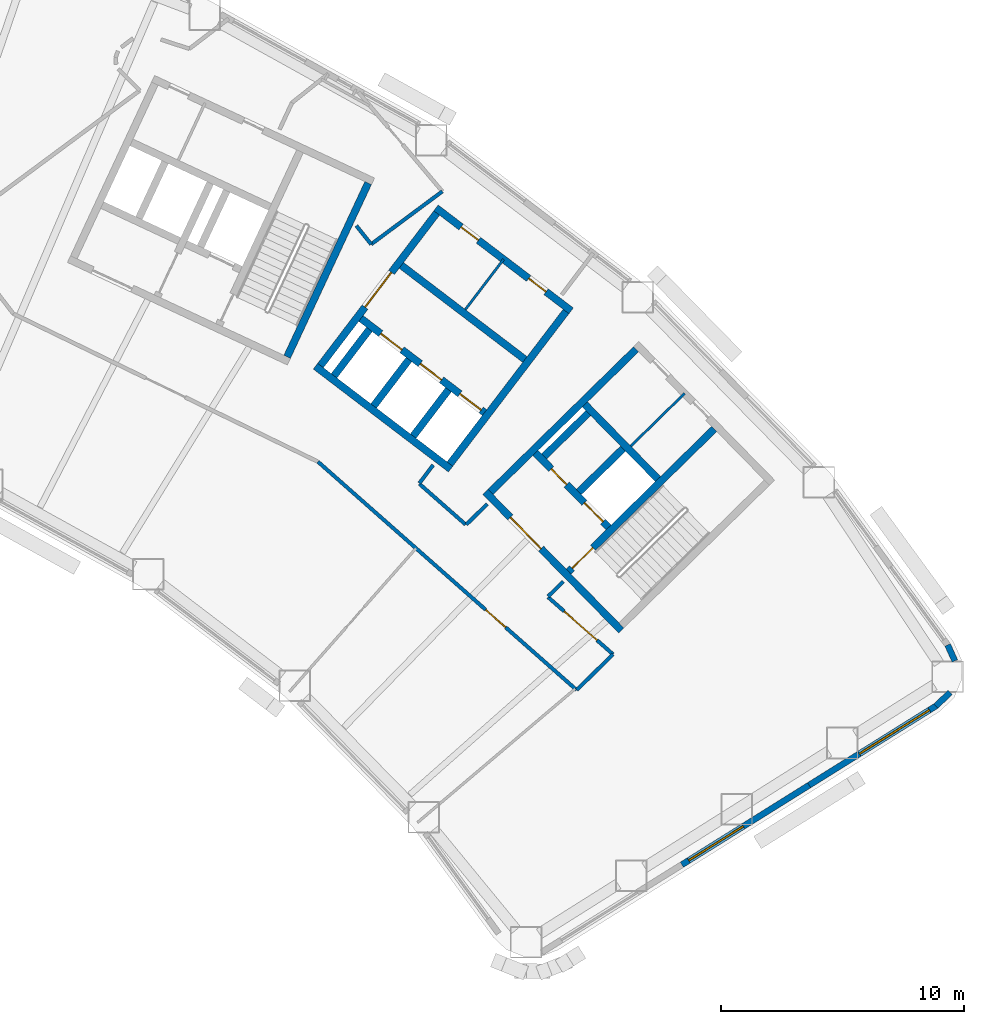
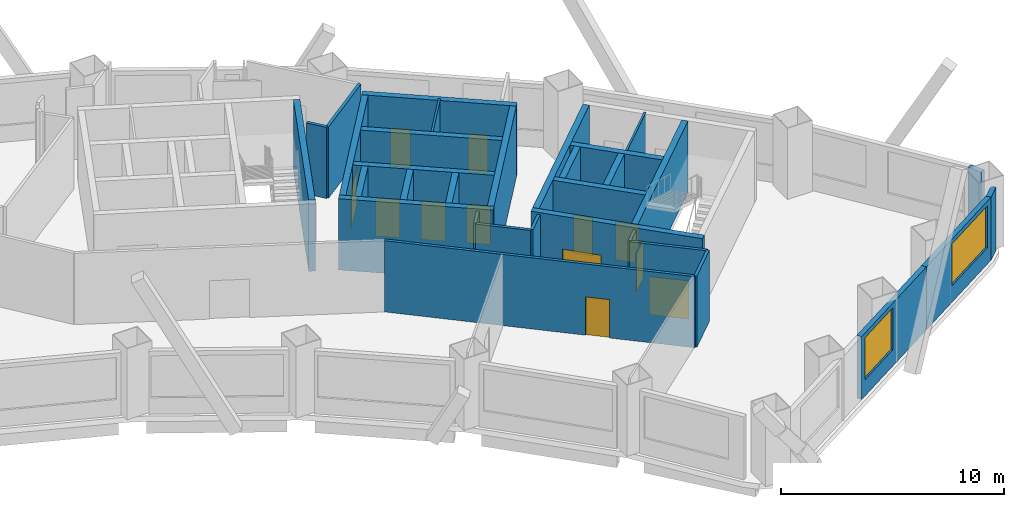
# One storey, part 6 of 11: 32 walls, 12 doors, 2 windows, 14 openings.
"""IFC4 building model written with IfcOpenShell, lengths in metres."""

from ifc_helpers import new_model, si_unit, direction, frame, frame_2d, origin, place, context, subcontext, project, spatial, rectangle, extrude, material, layer, layer_set, type_object, element, fill, save


model = new_model("IFC4")

# Units and contexts
model_context = context("Model", 3, precision=1e-05, world=origin(), true_north=direction((0.0, 1.0)))
body_context = subcontext(model_context, "Body", "Model", "MODEL_VIEW")
ifc_project = project(units=[si_unit("LENGTHUNIT", "METRE"), si_unit("AREAUNIT", "SQUARE_METRE"), si_unit("VOLUMEUNIT", "CUBIC_METRE"), si_unit("PLANEANGLEUNIT", "RADIAN"), si_unit("MASSUNIT", "GRAM", prefix="KILO")], contexts=[model_context])

# Site, building, storey
site_placement = place(None, origin())
site = spatial("IfcSite", under=ifc_project, at=site_placement, CompositionType="ELEMENT")
building_placement = place(site_placement, origin())
building = spatial("IfcBuilding", under=site, at=building_placement, Name="Tuul Gate Civic Tower", CompositionType="ELEMENT")
storey_placement = place(building_placement, frame((0.0, 0.0, 48.300048828125)))
storey = spatial("IfcBuildingStorey", under=building, at=storey_placement, Name="Level 10", CompositionType="ELEMENT", Elevation=48.300048828125)

# Wall, opening, door
ifc_material_1 = material(Name="Concrete C50/60", Category="concrete")
ifc_layer_1 = layer(ifc_material_1, 0.300048828125)
ifc_layer_set_1 = layer_set([ifc_layer_1], Name="Concrete C50/60")
wall_type_1 = type_object("IfcWallType", Name="Core wall C50/60", PredefinedType="SHEAR", material=ifc_layer_set_1)
wall_1_placement = place(storey_placement, frame((48.22509765625, -18.327880859375, 0.0), z_axis=(0.0, 0.0, 1.0), x_axis=(-0.700021979774, 0.714121297703, 0.0)))
wall_1 = element("IfcWall", 1, at=wall_1_placement, inside=storey, type_object=wall_type_1, Name="Core wall", PredefinedType="SHEAR", context=body_context, shape_type="SweptSolid", body=[
    extrude(rectangle(XDim=8.0, YDim=0.300048828125, at=frame_2d((4.0, 0.0))), origin(), (0.0, 0.0, 1.0), 3.89990234375),
])
opening_1_placement = place(wall_1_placement, frame((4.72509765625, 0.0, 0.0)))
opening_1 = element("IfcOpeningElement", 2, at=opening_1_placement, cuts=wall_1, Name="Opening LB-E1-LOBBY-1", PredefinedType="OPENING", context=body_context, shape_type="SweptSolid", body=[
    extrude(rectangle(XDim=1.800048828125, YDim=2.10009765625, at=frame_2d((0.89990234375, 1.050048828125))), frame((0.0, 0.16015625, 0.0), z_axis=(0.0, -1.0, 0.0), x_axis=(1.0, 0.0, 0.0)), (0.0, 0.0, 1.0), 0.320068359375),
])
ifc_material_2 = material(Name="Steel", Category="steel")
door_type_1 = type_object("IfcDoorType", Name="Lobby door", OperationType="DOUBLE_DOOR_SINGLE_SWING", PredefinedType="DOOR", material=ifc_material_2)
door_1_placement = place(opening_1_placement, frame((1.800048828125, 0.0, 0.0), z_axis=(0.0, 0.0, 1.0), x_axis=(-1.0, 0.0, 0.0)))
door_1 = element("IfcDoor", 3, at=door_1_placement, inside=storey, type_object=door_type_1, Name="Lobby door E1-LOBBY", OperationType="DOUBLE_DOOR_SINGLE_SWING", OverallHeight=2.10009765625, OverallWidth=1.800048828125, PredefinedType="DOOR", context=body_context, shape_type="SweptSolid", body=[
    extrude(rectangle(XDim=1.800048828125, YDim=2.10009765625, at=frame_2d((0.900146484375, 1.050048828125))), frame((0.0, 0.02490234375, 0.0), z_axis=(0.0, -1.0, 0.0), x_axis=(1.0, 0.0, 0.0)), (0.0, 0.0, 1.0), 0.050048828125),
])
fill(opening_1, door_1)

# Wall, openings, doors
wall_2_placement = place(storey_placement, frame((47.701904296875, -14.079833984375, 0.0), z_axis=(0.0, 0.0, 1.0), x_axis=(-0.700002721075, 0.714140175657, 0.0)))
wall_2 = element("IfcWall", 4, at=wall_2_placement, inside=storey, type_object=wall_type_1, Name="Core wall", PredefinedType="SHEAR", context=body_context, shape_type="SweptSolid", body=[
    extrude(rectangle(XDim=4.300048828125, YDim=0.300048828125, at=frame_2d((2.14990234375, 0.0))), origin(), (0.0, 0.0, 1.0), 3.89990234375),
])
opening_2_placement = place(wall_2_placement, frame((0.324951171875, 0.0, 0.0)))
opening_2 = element("IfcOpeningElement", 5, at=opening_2_placement, cuts=wall_2, Name="Opening LD-L4", PredefinedType="OPENING", context=body_context, shape_type="SweptSolid", body=[
    extrude(rectangle(XDim=1.10009765625, YDim=2.10009765625, at=frame_2d((0.550048828125, 1.050048828125))), frame((0.0, 0.16015625, 0.0), z_axis=(0.0, -1.0, 0.0), x_axis=(1.0, 0.0, 0.0)), (0.0, 0.0, 1.0), 0.320068359375),
])
opening_3_placement = place(wall_2_placement, frame((2.47509765625, 0.0, 0.0)))
opening_3 = element("IfcOpeningElement", 6, at=opening_3_placement, cuts=wall_2, Name="Opening FB-E1A2", PredefinedType="OPENING", context=body_context, shape_type="SweptSolid", body=[
    extrude(rectangle(XDim=0.89990234375, YDim=2.10009765625, at=frame_2d((0.449951171875, 1.050048828125))), frame((0.0, 0.16015625, 0.0), z_axis=(0.0, -1.0, 0.0), x_axis=(1.0, 0.0, 0.0)), (0.0, 0.0, 1.0), 0.320068359375),
])
ifc_material_3 = material(Name="Stainless steel", Category="steel")
door_type_2 = type_object("IfcDoorType", Name="Landing door", OperationType="DOUBLE_DOOR_SLIDING", PredefinedType="DOOR", material=ifc_material_3)
door_2_placement = place(opening_2_placement, origin())
door_2 = element("IfcDoor", 7, at=door_2_placement, inside=storey, type_object=door_type_2, Name="Low-rise lift L4 landing door", OperationType="DOUBLE_DOOR_SLIDING", OverallHeight=2.10009765625, OverallWidth=1.10009765625, PredefinedType="DOOR", context=body_context, shape_type="SweptSolid", body=[
    extrude(rectangle(XDim=1.10009765625, YDim=2.10009765625, at=frame_2d((0.550048828125, 1.050048828125))), frame((0.0, 0.02490234375, 0.0), z_axis=(0.0, -1.0, 0.0), x_axis=(1.0, 0.0, 0.0)), (0.0, 0.0, 1.0), 0.050048828125),
])
fill(opening_2, door_2)
ifc_material_4 = material(Name="Steel", Category="steel")
door_type_3 = type_object("IfcDoorType", Name="Store door", OperationType="NOTDEFINED", PredefinedType="DOOR", material=ifc_material_4)
door_3_placement = place(opening_3_placement, frame((0.89990234375, 0.0, 0.0), z_axis=(0.0, 0.0, 1.0), x_axis=(-1.0, 0.0, 0.0)))
door_3 = element("IfcDoor", 8, at=door_3_placement, inside=storey, type_object=door_type_3, Name="Store door E1A2", OperationType="SINGLE_SWING_LEFT", OverallHeight=2.10009765625, OverallWidth=0.89990234375, PredefinedType="DOOR", context=body_context, shape_type="SweptSolid", body=[
    extrude(rectangle(XDim=0.89990234375, YDim=2.10009765625, at=frame_2d((0.449951171875, 1.050048828125))), frame((0.0, 0.02490234375, 0.0), z_axis=(0.0, -1.0, 0.0), x_axis=(1.0, 0.0, 0.0)), (0.0, 0.0, 1.0), 0.050048828125),
])
fill(opening_3, door_3)

# Wall
wall_3_placement = place(storey_placement, frame((49.737060546875, -12.0849609375, 0.0), z_axis=(0.0, 0.0, 1.0), x_axis=(-0.700002721075, 0.714140175657, 0.0)))
element("IfcWall", 9, at=wall_3_placement, inside=storey, type_object=wall_type_1, Name="Core wall", PredefinedType="SHEAR", context=body_context, shape_type="SweptSolid", body=[
    extrude(rectangle(XDim=4.300048828125, YDim=0.300048828125, at=frame_2d((2.14990234375, 0.0))), origin(), (0.0, 0.0, 1.0), 3.89990234375),
])

# Wall, opening, door
wall_4_placement = place(storey_placement, frame((46.05712890625, -15.902099609375, 0.0), z_axis=(0.0, 0.0, 1.0), x_axis=(0.714134086973, 0.700008932674, 0.0)))
wall_4 = element("IfcWall", 10, at=wall_4_placement, inside=storey, type_object=wall_type_1, Name="Core wall", PredefinedType="SHEAR", context=body_context, shape_type="SweptSolid", body=[
    extrude(rectangle(XDim=8.400146484375, YDim=0.300048828125, at=frame_2d((4.2001953125, 0.0))), origin(), (0.0, 0.0, 1.0), 3.89990234375),
])
opening_4_placement = place(wall_4_placement, frame((0.199951171875, 0.0, 0.0)))
opening_4 = element("IfcOpeningElement", 11, at=opening_4_placement, cuts=wall_4, Name="Opening SD-ST-3", PredefinedType="OPENING", context=body_context, shape_type="SweptSolid", body=[
    extrude(rectangle(XDim=1.199951171875, YDim=2.10009765625, at=frame_2d((0.60009765625, 1.050048828125))), frame((0.0, 0.16015625, 0.0), z_axis=(0.0, -1.0, 0.0), x_axis=(1.0, 0.0, 0.0)), (0.0, 0.0, 1.0), 0.320068359375),
])
ifc_material_5 = material(Name="Steel", Category="steel")
door_type_4 = type_object("IfcDoorType", Name="Stair door", OperationType="NOTDEFINED", PredefinedType="DOOR", material=ifc_material_5)
door_4_placement = place(opening_4_placement, origin())
door_4 = element("IfcDoor", 12, at=door_4_placement, inside=storey, type_object=door_type_4, Name="Stair door ST-3", OperationType="SINGLE_SWING_LEFT", OverallHeight=2.10009765625, OverallWidth=1.199951171875, PredefinedType="DOOR", context=body_context, shape_type="SweptSolid", body=[
    extrude(rectangle(XDim=1.199951171875, YDim=2.10009765625, at=frame_2d((0.60009765625, 1.050048828125))), frame((0.0, 0.02490234375, 0.0), z_axis=(0.0, -1.0, 0.0), x_axis=(1.0, 0.0, 0.0)), (0.0, 0.0, 1.0), 0.050048828125),
])
fill(opening_4, door_4)

# Walls
wall_5_placement = place(storey_placement, frame((46.47900390625, -12.617919921875, 0.0), z_axis=(0.0, 0.0, 1.0), x_axis=(0.71410944159, 0.700034074479, 0.0)))
element("IfcWall", 13, at=wall_5_placement, inside=storey, type_object=wall_type_1, Name="Core wall", PredefinedType="SHEAR", context=body_context, shape_type="SweptSolid", body=[
    extrude(rectangle(XDim=2.5498046875, YDim=0.300048828125, at=frame_2d((1.27490234375, 0.0))), origin(), (0.0, 0.0, 1.0), 3.89990234375),
])
wall_6_placement = place(storey_placement, frame((45.0439453125, -11.154052734375, 0.0), z_axis=(0.0, 0.0, 1.0), x_axis=(0.714108498262, 0.700035036773, 0.0)))
element("IfcWall", 14, at=wall_6_placement, inside=storey, type_object=wall_type_1, Name="Core wall", PredefinedType="SHEAR", context=body_context, shape_type="SweptSolid", body=[
    extrude(rectangle(XDim=2.550048828125, YDim=0.300048828125, at=frame_2d((1.27490234375, 0.0))), origin(), (0.0, 0.0, 1.0), 3.89990234375),
])
wall_7_placement = place(storey_placement, frame((42.837158203125, -12.616943359375, 0.0), z_axis=(0.0, 0.0, 1.0), x_axis=(0.714119844755, 0.700023461983, 0.0)))
element("IfcWall", 15, at=wall_7_placement, inside=storey, type_object=wall_type_1, Name="Core wall", PredefinedType="SHEAR", context=body_context, shape_type="SweptSolid", body=[
    extrude(rectangle(XDim=8.39990234375, YDim=0.300048828125, at=frame_2d((4.199951171875, 0.0))), origin(), (0.0, 0.0, 1.0), 3.89990234375),
])
wall_8_placement = place(storey_placement, frame((34.455810546875, -7.05078125, 0.0), z_axis=(0.0, 0.0, 1.0), x_axis=(0.422570768258, 0.906329932096, 0.0)))
element("IfcWall", 16, at=wall_8_placement, inside=storey, type_object=wall_type_1, Name="Core wall", PredefinedType="SHEAR", context=body_context, shape_type="SweptSolid", body=[
    extrude(rectangle(XDim=7.900146484375, YDim=0.300048828125, at=frame_2d((3.9501953125, 0.0))), origin(), (0.0, 0.0, 1.0), 3.89990234375),
])

# Wall, opening, door
ifc_material_6 = material(Name="Gypsum board partition")
ifc_layer_2 = layer(ifc_material_6, 0.14990234375)
ifc_layer_set_2 = layer_set([ifc_layer_2], Name="Gypsum board partition")
wall_type_2 = type_object("IfcWallType", Name="Corridor wall P150", PredefinedType="PARTITIONING", material=ifc_layer_set_2)
wall_9_placement = place(storey_placement, frame((35.7294921875, -11.376708984375, 0.0), z_axis=(0.0, 0.0, 1.0), x_axis=(0.749813799655, -0.661648899226, 0.0)))
wall_9 = element("IfcWall", 17, at=wall_9_placement, inside=storey, type_object=wall_type_2, Name="p002", PredefinedType="PARTITIONING", context=body_context, shape_type="SweptSolid", body=[
    extrude(rectangle(XDim=14.216796875, YDim=0.14990234375, at=frame_2d((7.1083984375, 0.0))), origin(), (0.0, 0.0, 1.0), 3.89990234375),
])
opening_5_placement = place(wall_9_placement, frame((9.210205078125, 0.0, 0.0)))
opening_5 = element("IfcOpeningElement", 18, at=opening_5_placement, cuts=wall_9, Name="Opening B-D07", PredefinedType="OPENING", context=body_context, shape_type="SweptSolid", body=[
    extrude(rectangle(XDim=1.10009765625, YDim=2.10009765625, at=frame_2d((0.550048828125, 1.050048828125))), frame((0.0, 0.0849609375, 0.0), z_axis=(0.0, -1.0, 0.0), x_axis=(1.0, 0.0, 0.0)), (0.0, 0.0, 1.0), 0.169921875),
])
ifc_material_7 = material(Name="Timber door leaf", Category="wood")
door_type_5 = type_object("IfcDoorType", Name="Door D11", OperationType="NOTDEFINED", PredefinedType="DOOR", material=ifc_material_7)
door_5_placement = place(opening_5_placement, frame((1.10009765625, 0.0, 0.0), z_axis=(0.0, 0.0, 1.0), x_axis=(-1.0, 0.0, 0.0)))
door_5 = element("IfcDoor", 19, at=door_5_placement, inside=storey, type_object=door_type_5, Name="Door B-D07", OperationType="SINGLE_SWING_LEFT", OverallHeight=2.10009765625, OverallWidth=1.10009765625, PredefinedType="DOOR", context=body_context, shape_type="SweptSolid", body=[
    extrude(rectangle(XDim=1.10009765625, YDim=2.10009765625, at=frame_2d((0.550048828125, 1.050048828125))), frame((0.0, 0.02490234375, 0.0), z_axis=(0.0, -1.0, 0.0), x_axis=(1.0, 0.0, 0.0)), (0.0, 0.0, 1.0), 0.050048828125),
])
fill(opening_5, door_5)

# Walls
wall_10_placement = place(storey_placement, frame((46.389404296875, -20.783203125, 0.0), z_axis=(0.0, 0.0, 1.0), x_axis=(0.711568254361, 0.702616979147, 0.0)))
element("IfcWall", 20, at=wall_10_placement, inside=storey, type_object=wall_type_2, Name="p003", PredefinedType="PARTITIONING", context=body_context, shape_type="SweptSolid", body=[
    extrude(rectangle(XDim=2.10009765625, YDim=0.14990234375, at=frame_2d((1.050048828125, 0.0))), origin(), (0.0, 0.0, 1.0), 3.89990234375),
])
wall_11_placement = place(storey_placement, frame((39.9091796875, -12.28662109375, 0.0), z_axis=(0.0, 0.0, 1.0), x_axis=(0.75053401332, -0.660831820397, 0.0)))
element("IfcWall", 21, at=wall_11_placement, inside=storey, type_object=wall_type_2, Name="p004", PredefinedType="PARTITIONING", context=body_context, shape_type="SweptSolid", body=[
    extrude(rectangle(XDim=2.53662109375, YDim=0.14990234375, at=frame_2d((1.268310546875, 0.0))), origin(), (0.0, 0.0, 1.0), 3.89990234375),
])

# Wall, opening, door
wall_12_placement = place(storey_placement, frame((45.210693359375, -16.954345703125, 0.0), z_axis=(0.0, 0.0, 1.0), x_axis=(0.750581589345, -0.660777782418, 0.0)))
wall_12 = element("IfcWall", 22, at=wall_12_placement, inside=storey, type_object=wall_type_2, Name="p005", PredefinedType="PARTITIONING", context=body_context, shape_type="SweptSolid", body=[
    extrude(rectangle(XDim=3.561279296875, YDim=0.14990234375, at=frame_2d((1.78076171875, 0.0))), origin(), (0.0, 0.0, 1.0), 3.89990234375),
])
opening_6_placement = place(wall_12_placement, frame((0.880615234375, 0.0, 0.0)))
opening_6 = element("IfcOpeningElement", 23, at=opening_6_placement, cuts=wall_12, Name="Opening B-D01", PredefinedType="OPENING", context=body_context, shape_type="SweptSolid", body=[
    extrude(rectangle(XDim=1.800048828125, YDim=2.10009765625, at=frame_2d((0.89990234375, 1.050048828125))), frame((0.0, 0.0849609375, 0.0), z_axis=(0.0, -1.0, 0.0), x_axis=(1.0, 0.0, 0.0)), (0.0, 0.0, 1.0), 0.169921875),
])
ifc_material_8 = material(Name="Timber door leaf, double", Category="wood")
door_type_6 = type_object("IfcDoorType", Name="Door D18", OperationType="DOUBLE_DOOR_SINGLE_SWING", PredefinedType="DOOR", material=ifc_material_8)
door_6_placement = place(opening_6_placement, frame((1.800048828125, 0.0, 0.0), z_axis=(0.0, 0.0, 1.0), x_axis=(-1.0, 0.0, 0.0)))
door_6 = element("IfcDoor", 24, at=door_6_placement, inside=storey, type_object=door_type_6, Name="Door B-D01", OperationType="DOUBLE_DOOR_SINGLE_SWING", OverallHeight=2.10009765625, OverallWidth=1.800048828125, PredefinedType="DOOR", context=body_context, shape_type="SweptSolid", body=[
    extrude(rectangle(XDim=1.800048828125, YDim=2.10009765625, at=frame_2d((0.900146484375, 1.050048828125))), frame((0.0, 0.02490234375, 0.0), z_axis=(0.0, -1.0, 0.0), x_axis=(1.0, 0.0, 0.0)), (0.0, 0.0, 1.0), 0.050048828125),
])
fill(opening_6, door_6)

# Walls
wall_13_placement = place(storey_placement, frame((45.2099609375, -16.924560546875, 0.0), z_axis=(0.0, 0.0, 1.0), x_axis=(0.710880918449, 0.703312391321, 0.0)))
element("IfcWall", 25, at=wall_13_placement, inside=storey, type_object=wall_type_2, Name="p006", PredefinedType="PARTITIONING", context=body_context, shape_type="SweptSolid", body=[
    extrude(rectangle(XDim=0.870849609375, YDim=0.14990234375, at=frame_2d((0.435546875, 0.0))), origin(), (0.0, 0.0, 1.0), 3.89990234375),
])
wall_14_placement = place(storey_placement, frame((41.836669921875, -13.965576171875, 0.0), z_axis=(0.0, 0.0, 1.0), x_axis=(0.712339919923, 0.701834623316, 0.0)))
element("IfcWall", 26, at=wall_14_placement, inside=storey, type_object=wall_type_2, Name="p007", PredefinedType="PARTITIONING", context=body_context, shape_type="SweptSolid", body=[
    extrude(rectangle(XDim=1.20849609375, YDim=0.14990234375, at=frame_2d((0.604248046875, 0.0))), origin(), (0.0, 0.0, 1.0), 3.89990234375),
])
wall_15_placement = place(storey_placement, frame((39.90625, -12.2587890625, 0.0), z_axis=(0.0, 0.0, 1.0), x_axis=(0.602818411343, 0.797878413636, 0.0)))
element("IfcWall", 27, at=wall_15_placement, inside=storey, type_object=wall_type_2, Name="p008", PredefinedType="PARTITIONING", context=body_context, shape_type="SweptSolid", body=[
    extrude(rectangle(XDim=0.941162109375, YDim=0.14990234375, at=frame_2d((0.470703125, 0.0))), origin(), (0.0, 0.0, 1.0), 3.89990234375),
])
wall_16_placement = place(storey_placement, frame((37.91796875, -2.41162109375, 0.0), z_axis=(0.0, 0.0, 1.0), x_axis=(0.802678044925, 0.59641257213, 0.0)))
element("IfcWall", 28, at=wall_16_placement, inside=storey, type_object=wall_type_2, Name="p010", PredefinedType="PARTITIONING", context=body_context, shape_type="SweptSolid", body=[
    extrude(rectangle(XDim=3.65380859375, YDim=0.14990234375, at=frame_2d((1.826904296875, 0.0))), origin(), (0.0, 0.0, 1.0), 3.89990234375),
])
wall_17_placement = place(storey_placement, frame((37.30712890625, -1.6455078125, 0.0), z_axis=(0.0, 0.0, 1.0), x_axis=(0.623417987598, -0.781888747035, 0.0)))
element("IfcWall", 29, at=wall_17_placement, inside=storey, type_object=wall_type_2, Name="p011", PredefinedType="PARTITIONING", context=body_context, shape_type="SweptSolid", body=[
    extrude(rectangle(XDim=0.979736328125, YDim=0.14990234375, at=frame_2d((0.48974609375, 0.0))), origin(), (0.0, 0.0, 1.0), 3.89990234375),
])
ifc_material_9 = material(Name="Precast concrete C40/50", Category="concrete")
ifc_layer_3 = layer(ifc_material_9, 0.25)
ifc_layer_set_3 = layer_set([ifc_layer_3], Name="Precast concrete C40/50")
wall_type_3 = type_object("IfcWallType", Name="External wall", PredefinedType="STANDARD", material=ifc_layer_set_3)
wall_18_placement = place(storey_placement, frame((61.1904296875, -21.442626953125, 0.0), z_axis=(0.0, 0.0, 1.0), x_axis=(0.722244224905, 0.691638113172, 0.0)))
element("IfcWall", 30, at=wall_18_placement, inside=storey, type_object=wall_type_3, Name="External wall", PredefinedType="STANDARD", context=body_context, shape_type="SweptSolid", body=[
    extrude(rectangle(XDim=0.813720703125, YDim=0.25, at=frame_2d((0.40673828125, 0.0))), origin(), (0.0, 0.0, 1.0), 3.449951171875),
])
wall_19_placement = place(storey_placement, frame((61.973388671875, -19.580078125, 0.0), z_axis=(0.0, 0.0, 1.0), x_axis=(-0.412831515496, 0.910807410934, 0.0)))
element("IfcWall", 31, at=wall_19_placement, inside=storey, type_object=wall_type_3, Name="External wall", PredefinedType="STANDARD", context=body_context, shape_type="SweptSolid", body=[
    extrude(rectangle(XDim=0.7197265625, YDim=0.25, at=frame_2d((0.35986328125, 0.0))), origin(), (0.0, 0.0, 1.0), 3.449951171875),
])

# Wall, opening, window
wall_20_placement = place(storey_placement, frame((50.72412109375, -27.979736328125, 0.0), z_axis=(0.0, 0.0, 1.0), x_axis=(0.848053758074, 0.529910203164, 0.0)))
wall_20 = element("IfcWall", 32, at=wall_20_placement, inside=storey, type_object=wall_type_3, Name="External wall", PredefinedType="STANDARD", context=body_context, shape_type="SweptSolid", body=[
    extrude(rectangle(XDim=6.182861328125, YDim=0.25, at=frame_2d((3.09130859375, 0.0))), origin(), (0.0, 0.0, 1.0), 3.449951171875),
])
opening_7_placement = place(wall_20_placement, frame((0.3330078125, 0.0, 0.89990234375)))
opening_7 = element("IfcOpeningElement", 33, at=opening_7_placement, cuts=wall_20, Name="Opening W37", PredefinedType="OPENING", context=body_context, shape_type="SweptSolid", body=[
    extrude(rectangle(XDim=2.64990234375, YDim=2.300048828125, at=frame_2d((1.324951171875, 1.14990234375))), frame((0.0, 0.135009765625, 0.0), z_axis=(0.0, -1.0, 0.0), x_axis=(1.0, 0.0, 0.0)), (0.0, 0.0, 1.0), 0.27001953125),
])
ifc_material_10 = material(Name="Glass", Category="glass")
window_type_1 = type_object("IfcWindowType", Name="Window 2650 x 2300", PartitioningType="SINGLE_PANEL", PredefinedType="WINDOW", material=ifc_material_10)
window_1_placement = place(opening_7_placement, origin())
window_1 = element("IfcWindow", 34, at=window_1_placement, inside=storey, type_object=window_type_1, Name="Window", OverallHeight=2.300048828125, OverallWidth=2.64990234375, PartitioningType="SINGLE_PANEL", PredefinedType="WINDOW", context=body_context, shape_type="SweptSolid", body=[
    extrude(rectangle(XDim=2.64990234375, YDim=2.300048828125, at=frame_2d((1.324951171875, 1.14990234375))), frame((0.0, 0.030029296875, 0.0), z_axis=(0.0, -1.0, 0.0), x_axis=(1.0, 0.0, 0.0)), (0.0, 0.0, 1.0), 0.06005859375),
])
fill(opening_7, window_1)

wall_21_placement = place(storey_placement, frame((55.967529296875, -24.703369140625, 0.0), z_axis=(0.0, 0.0, 1.0), x_axis=(0.848042669488, 0.529927948619, 0.0)))
wall_21 = element("IfcWall", 35, at=wall_21_placement, inside=storey, type_object=wall_type_3, Name="External wall", PredefinedType="STANDARD", context=body_context, shape_type="SweptSolid", body=[
    extrude(rectangle(XDim=6.1826171875, YDim=0.25, at=frame_2d((3.09130859375, 0.0))), origin(), (0.0, 0.0, 1.0), 3.449951171875),
])
opening_8_placement = place(wall_21_placement, frame((2.443115234375, 0.0, 0.89990234375)))
opening_8 = element("IfcOpeningElement", 36, at=opening_8_placement, cuts=wall_21, Name="Opening W32", PredefinedType="OPENING", context=body_context, shape_type="SweptSolid", body=[
    extrude(rectangle(XDim=3.39990234375, YDim=2.300048828125, at=frame_2d((1.699951171875, 1.14990234375))), frame((0.0, 0.135009765625, 0.0), z_axis=(0.0, -1.0, 0.0), x_axis=(1.0, 0.0, 0.0)), (0.0, 0.0, 1.0), 0.27001953125),
])
ifc_material_11 = material(Name="Glass", Category="glass")
window_type_2 = type_object("IfcWindowType", Name="Window 3400 x 2300", PartitioningType="SINGLE_PANEL", PredefinedType="WINDOW", material=ifc_material_11)
window_2_placement = place(opening_8_placement, origin())
window_2 = element("IfcWindow", 37, at=window_2_placement, inside=storey, type_object=window_type_2, Name="Window", OverallHeight=2.300048828125, OverallWidth=3.39990234375, PartitioningType="SINGLE_PANEL", PredefinedType="WINDOW", context=body_context, shape_type="SweptSolid", body=[
    extrude(rectangle(XDim=3.39990234375, YDim=2.300048828125, at=frame_2d((1.699951171875, 1.14990234375))), frame((0.0, 0.030029296875, 0.0), z_axis=(0.0, -1.0, 0.0), x_axis=(1.0, 0.0, 0.0)), (0.0, 0.0, 1.0), 0.06005859375),
])
fill(opening_8, window_2)

# Wall
ifc_material_12 = material(Name="Concrete C40/50", Category="concrete")
ifc_layer_4 = layer(ifc_material_12, 0.300048828125)
ifc_layer_set_4 = layer_set([ifc_layer_4], Name="Concrete C40/50")
wall_type_4 = type_object("IfcWallType", Name="Lift shaft wall C40/50", PredefinedType="STANDARD", material=ifc_layer_set_4)
wall_22_placement = place(storey_placement, frame((41.19189453125, -11.677734375, 0.0), z_axis=(0.0, 0.0, 1.0), x_axis=(-0.795563000331, 0.605870871147, 0.0)))
element("IfcWall", 38, at=wall_22_placement, inside=storey, type_object=wall_type_4, Name="Shaft wall", PredefinedType="STANDARD", context=body_context, shape_type="SweptSolid", body=[
    extrude(rectangle(XDim=7.000244140625, YDim=0.300048828125, at=frame_2d((3.5, 0.0))), origin(), (0.0, 0.0, 1.0), 3.89990234375),
])

# Wall, openings, doors
wall_23_placement = place(storey_placement, frame((42.5888671875, -9.34765625, 0.0), z_axis=(0.0, 0.0, 1.0), x_axis=(-0.795584062101, 0.605843214149, 0.0)))
wall_23 = element("IfcWall", 39, at=wall_23_placement, inside=storey, type_object=wall_type_4, Name="Shaft wall", PredefinedType="STANDARD", context=body_context, shape_type="SweptSolid", body=[
    extrude(rectangle(XDim=6.400146484375, YDim=0.300048828125, at=frame_2d((3.2001953125, 0.0))), origin(), (0.0, 0.0, 1.0), 3.89990234375),
])
opening_9_placement = place(wall_23_placement, frame((0.175048828125, 0.0, 0.0)))
opening_9 = element("IfcOpeningElement", 40, at=opening_9_placement, cuts=wall_23, Name="Opening LD-L1", PredefinedType="OPENING", context=body_context, shape_type="SweptSolid", body=[
    extrude(rectangle(XDim=1.10009765625, YDim=2.10009765625, at=frame_2d((0.550048828125, 1.050048828125))), frame((0.0, 0.16015625, 0.0), z_axis=(0.0, -1.0, 0.0), x_axis=(1.0, 0.0, 0.0)), (0.0, 0.0, 1.0), 0.320068359375),
])
opening_10_placement = place(wall_23_placement, frame((2.22509765625, 0.0, 0.0)))
opening_10 = element("IfcOpeningElement", 41, at=opening_10_placement, cuts=wall_23, Name="Opening LD-L2", PredefinedType="OPENING", context=body_context, shape_type="SweptSolid", body=[
    extrude(rectangle(XDim=1.10009765625, YDim=2.10009765625, at=frame_2d((0.550048828125, 1.050048828125))), frame((0.0, 0.16015625, 0.0), z_axis=(0.0, -1.0, 0.0), x_axis=(1.0, 0.0, 0.0)), (0.0, 0.0, 1.0), 0.320068359375),
])
opening_11_placement = place(wall_23_placement, frame((4.27490234375, 0.0, 0.0)))
opening_11 = element("IfcOpeningElement", 42, at=opening_11_placement, cuts=wall_23, Name="Opening LD-L3", PredefinedType="OPENING", context=body_context, shape_type="SweptSolid", body=[
    extrude(rectangle(XDim=1.10009765625, YDim=2.10009765625, at=frame_2d((0.550048828125, 1.050048828125))), frame((0.0, 0.16015625, 0.0), z_axis=(0.0, -1.0, 0.0), x_axis=(1.0, 0.0, 0.0)), (0.0, 0.0, 1.0), 0.320068359375),
])
door_7_placement = place(opening_9_placement, origin())
door_7 = element("IfcDoor", 43, at=door_7_placement, inside=storey, type_object=door_type_2, Name="Low-rise lift L1 landing door", OperationType="DOUBLE_DOOR_SLIDING", OverallHeight=2.10009765625, OverallWidth=1.10009765625, PredefinedType="DOOR", context=body_context, shape_type="SweptSolid", body=[
    extrude(rectangle(XDim=1.10009765625, YDim=2.10009765625, at=frame_2d((0.550048828125, 1.050048828125))), frame((0.0, 0.02490234375, 0.0), z_axis=(0.0, -1.0, 0.0), x_axis=(1.0, 0.0, 0.0)), (0.0, 0.0, 1.0), 0.050048828125),
])
fill(opening_9, door_7)
door_8_placement = place(opening_10_placement, origin())
door_8 = element("IfcDoor", 44, at=door_8_placement, inside=storey, type_object=door_type_2, Name="Low-rise lift L2 landing door", OperationType="DOUBLE_DOOR_SLIDING", OverallHeight=2.10009765625, OverallWidth=1.10009765625, PredefinedType="DOOR", context=body_context, shape_type="SweptSolid", body=[
    extrude(rectangle(XDim=1.10009765625, YDim=2.10009765625, at=frame_2d((0.550048828125, 1.050048828125))), frame((0.0, 0.02490234375, 0.0), z_axis=(0.0, -1.0, 0.0), x_axis=(1.0, 0.0, 0.0)), (0.0, 0.0, 1.0), 0.050048828125),
])
fill(opening_10, door_8)
door_9_placement = place(opening_11_placement, origin())
door_9 = element("IfcDoor", 45, at=door_9_placement, inside=storey, type_object=door_type_2, Name="Low-rise lift L3 landing door", OperationType="DOUBLE_DOOR_SLIDING", OverallHeight=2.10009765625, OverallWidth=1.10009765625, PredefinedType="DOOR", context=body_context, shape_type="SweptSolid", body=[
    extrude(rectangle(XDim=1.10009765625, YDim=2.10009765625, at=frame_2d((0.550048828125, 1.050048828125))), frame((0.0, 0.02490234375, 0.0), z_axis=(0.0, -1.0, 0.0), x_axis=(1.0, 0.0, 0.0)), (0.0, 0.0, 1.0), 0.050048828125),
])
fill(opening_11, door_9)

# Wall
wall_24_placement = place(storey_placement, frame((44.254638671875, -7.15966796875, 0.0), z_axis=(0.0, 0.0, 1.0), x_axis=(-0.795565675562, 0.605867358312, 0.0)))
element("IfcWall", 46, at=wall_24_placement, inside=storey, type_object=wall_type_4, Name="Shaft wall", PredefinedType="STANDARD", context=body_context, shape_type="SweptSolid", body=[
    extrude(rectangle(XDim=6.400146484375, YDim=0.300048828125, at=frame_2d((3.2001953125, 0.0))), origin(), (0.0, 0.0, 1.0), 3.89990234375),
])

# Wall, openings, doors
wall_25_placement = place(storey_placement, frame((46.1591796875, -5.1533203125, 0.0), z_axis=(0.0, 0.0, 1.0), x_axis=(-0.795579811045, 0.605848796531, 0.0)))
wall_25 = element("IfcWall", 47, at=wall_25_placement, inside=storey, type_object=wall_type_4, Name="Shaft wall", PredefinedType="STANDARD", context=body_context, shape_type="SweptSolid", body=[
    extrude(rectangle(XDim=7.0, YDim=0.300048828125, at=frame_2d((3.5, 0.0))), origin(), (0.0, 0.0, 1.0), 3.89990234375),
])
opening_12_placement = place(wall_25_placement, frame((1.300048828125, 0.0, 0.0)))
opening_12 = element("IfcOpeningElement", 48, at=opening_12_placement, cuts=wall_25, Name="Opening B-D19", PredefinedType="OPENING", context=body_context, shape_type="SweptSolid", body=[
    extrude(rectangle(XDim=0.89990234375, YDim=2.10009765625, at=frame_2d((0.449951171875, 1.050048828125))), frame((0.0, 0.16015625, 0.0), z_axis=(0.0, -1.0, 0.0), x_axis=(1.0, 0.0, 0.0)), (0.0, 0.0, 1.0), 0.320068359375),
])
opening_13_placement = place(wall_25_placement, frame((4.800048828125, 0.0, 0.0)))
opening_13 = element("IfcOpeningElement", 49, at=opening_13_placement, cuts=wall_25, Name="Opening B-D20", PredefinedType="OPENING", context=body_context, shape_type="SweptSolid", body=[
    extrude(rectangle(XDim=0.89990234375, YDim=2.10009765625, at=frame_2d((0.449951171875, 1.050048828125))), frame((0.0, 0.16015625, 0.0), z_axis=(0.0, -1.0, 0.0), x_axis=(1.0, 0.0, 0.0)), (0.0, 0.0, 1.0), 0.320068359375),
])
ifc_material_13 = material(Name="Timber door leaf", Category="wood")
door_type_7 = type_object("IfcDoorType", Name="Door D09", OperationType="NOTDEFINED", PredefinedType="DOOR", material=ifc_material_13)
door_10_placement = place(opening_12_placement, origin())
door_10 = element("IfcDoor", 50, at=door_10_placement, inside=storey, type_object=door_type_7, Name="Door B-D19", OperationType="SINGLE_SWING_LEFT", OverallHeight=2.10009765625, OverallWidth=0.89990234375, PredefinedType="DOOR", context=body_context, shape_type="SweptSolid", body=[
    extrude(rectangle(XDim=0.89990234375, YDim=2.10009765625, at=frame_2d((0.449951171875, 1.050048828125))), frame((0.0, 0.02490234375, 0.0), z_axis=(0.0, -1.0, 0.0), x_axis=(1.0, 0.0, 0.0)), (0.0, 0.0, 1.0), 0.050048828125),
])
fill(opening_12, door_10)
door_11_placement = place(opening_13_placement, origin())
door_11 = element("IfcDoor", 51, at=door_11_placement, inside=storey, type_object=door_type_7, Name="Door B-D20", OperationType="SINGLE_SWING_RIGHT", OverallHeight=2.10009765625, OverallWidth=0.89990234375, PredefinedType="DOOR", context=body_context, shape_type="SweptSolid", body=[
    extrude(rectangle(XDim=0.89990234375, YDim=2.10009765625, at=frame_2d((0.449951171875, 1.050048828125))), frame((0.0, 0.02490234375, 0.0), z_axis=(0.0, -1.0, 0.0), x_axis=(1.0, 0.0, 0.0)), (0.0, 0.0, 1.0), 0.050048828125),
])
fill(opening_13, door_11)

# Walls
wall_26_placement = place(storey_placement, frame((41.163330078125, -11.46728515625, 0.0), z_axis=(0.0, 0.0, 1.0), x_axis=(0.605784332699, 0.795628897324, 0.0)))
element("IfcWall", 52, at=wall_26_placement, inside=storey, type_object=wall_type_4, Name="Shaft wall", PredefinedType="STANDARD", context=body_context, shape_type="SweptSolid", body=[
    extrude(rectangle(XDim=7.89990234375, YDim=0.300048828125, at=frame_2d((3.949951171875, 0.0))), origin(), (0.0, 0.0, 1.0), 3.89990234375),
])
wall_27_placement = place(storey_placement, frame((39.65185546875, -10.31640625, 0.0), z_axis=(0.0, 0.0, 1.0), x_axis=(0.605745892068, 0.79565816419, 0.0)))
element("IfcWall", 53, at=wall_27_placement, inside=storey, type_object=wall_type_4, Name="Shaft wall", PredefinedType="STANDARD", context=body_context, shape_type="SweptSolid", body=[
    extrude(rectangle(XDim=2.400146484375, YDim=0.300048828125, at=frame_2d((1.2001953125, 0.0))), origin(), (0.0, 0.0, 1.0), 3.89990234375),
])
wall_28_placement = place(storey_placement, frame((38.02099609375, -9.07421875, 0.0), z_axis=(0.0, 0.0, 1.0), x_axis=(0.605730519254, 0.795669867498, 0.0)))
element("IfcWall", 54, at=wall_28_placement, inside=storey, type_object=wall_type_4, Name="Shaft wall", PredefinedType="STANDARD", context=body_context, shape_type="SweptSolid", body=[
    extrude(rectangle(XDim=2.399658203125, YDim=0.300048828125, at=frame_2d((1.19970703125, 0.0))), origin(), (0.0, 0.0, 1.0), 3.89990234375),
])
wall_29_placement = place(storey_placement, frame((36.389892578125, -7.832275390625, 0.0), z_axis=(0.0, 0.0, 1.0), x_axis=(0.605745892068, 0.79565816419, 0.0)))
element("IfcWall", 55, at=wall_29_placement, inside=storey, type_object=wall_type_4, Name="Shaft wall", PredefinedType="STANDARD", context=body_context, shape_type="SweptSolid", body=[
    extrude(rectangle(XDim=2.400146484375, YDim=0.300048828125, at=frame_2d((1.2001953125, 0.0))), origin(), (0.0, 0.0, 1.0), 3.89990234375),
])

# Wall, opening, door
wall_30_placement = place(storey_placement, frame((35.8330078125, -7.408203125, 0.0), z_axis=(0.0, 0.0, 1.0), x_axis=(0.605769437763, 0.795640237967, 0.0)))
wall_30 = element("IfcWall", 56, at=wall_30_placement, inside=storey, type_object=wall_type_4, Name="Shaft wall", PredefinedType="STANDARD", context=body_context, shape_type="SweptSolid", body=[
    extrude(rectangle(XDim=7.900146484375, YDim=0.300048828125, at=frame_2d((3.9501953125, 0.0))), origin(), (0.0, 0.0, 1.0), 3.89990234375),
])
opening_14_placement = place(wall_30_placement, frame((3.02490234375, 0.0, 0.0)))
opening_14 = element("IfcOpeningElement", 57, at=opening_14_placement, cuts=wall_30, Name="Opening LB-E2-LOBBY-1", PredefinedType="OPENING", context=body_context, shape_type="SweptSolid", body=[
    extrude(rectangle(XDim=1.800048828125, YDim=2.10009765625, at=frame_2d((0.89990234375, 1.050048828125))), frame((0.0, 0.16015625, 0.0), z_axis=(0.0, -1.0, 0.0), x_axis=(1.0, 0.0, 0.0)), (0.0, 0.0, 1.0), 0.320068359375),
])
door_12_placement = place(opening_14_placement, frame((1.800048828125, 0.0, 0.0), z_axis=(0.0, 0.0, 1.0), x_axis=(-1.0, 0.0, 0.0)))
door_12 = element("IfcDoor", 58, at=door_12_placement, inside=storey, type_object=door_type_1, Name="Lobby door E2-LOBBY", OperationType="DOUBLE_DOOR_SINGLE_SWING", OverallHeight=2.10009765625, OverallWidth=1.800048828125, PredefinedType="DOOR", context=body_context, shape_type="SweptSolid", body=[
    extrude(rectangle(XDim=1.800048828125, YDim=2.10009765625, at=frame_2d((0.900146484375, 1.050048828125))), frame((0.0, 0.02490234375, 0.0), z_axis=(0.0, -1.0, 0.0), x_axis=(1.0, 0.0, 0.0)), (0.0, 0.0, 1.0), 0.050048828125),
])
fill(opening_14, door_12)

# Walls
ifc_material_14 = material(Name="Gypsum board partition")
ifc_layer_5 = layer(ifc_material_14, 0.10009765625)
ifc_layer_set_5 = layer_set([ifc_layer_5], Name="Gypsum board partition")
wall_type_5 = type_object("IfcWallType", Name="Partition P100", PredefinedType="PARTITIONING", material=ifc_layer_set_5)
wall_31_placement = place(storey_placement, frame((41.799560546875, -5.1015625, 0.0), z_axis=(0.0, 0.0, 1.0), x_axis=(0.605768745095, 0.795640765337, 0.0)))
element("IfcWall", 59, at=wall_31_placement, inside=storey, type_object=wall_type_5, Name="bE2-BAND-0", PredefinedType="PARTITIONING", context=body_context, shape_type="SweptSolid", body=[
    extrude(rectangle(XDim=2.599853515625, YDim=0.10009765625, at=frame_2d((1.2998046875, 0.0))), origin(), (0.0, 0.0, 1.0), 3.89990234375),
])
wall_32_placement = place(storey_placement, frame((48.619140625, -10.72998046875, 0.0), z_axis=(0.0, 0.0, 1.0), x_axis=(0.714159293908, 0.699983216173, 0.0)))
element("IfcWall", 60, at=wall_32_placement, inside=storey, type_object=wall_type_5, Name="bE1-BAND-0", PredefinedType="PARTITIONING", context=body_context, shape_type="SweptSolid", body=[
    extrude(rectangle(XDim=3.099853515625, YDim=0.10009765625, at=frame_2d((1.5498046875, 0.0))), origin(), (0.0, 0.0, 1.0), 3.89990234375),
])

save(model, "model.ifc")
